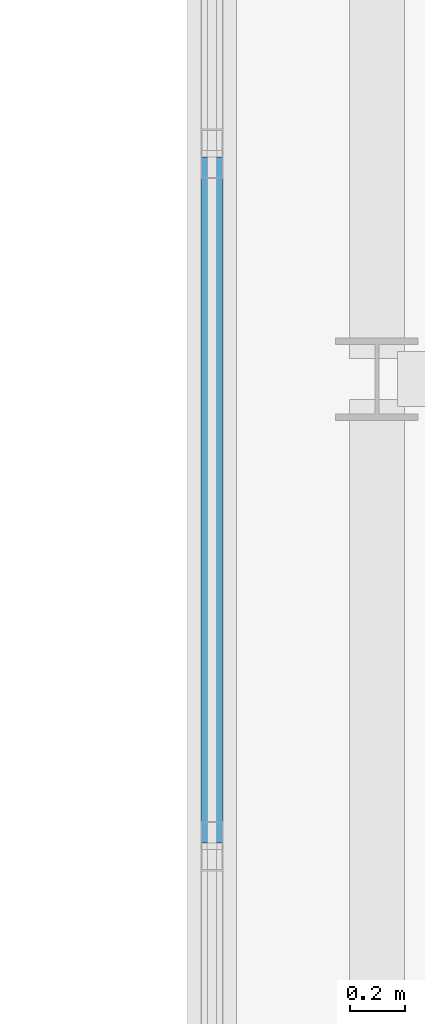
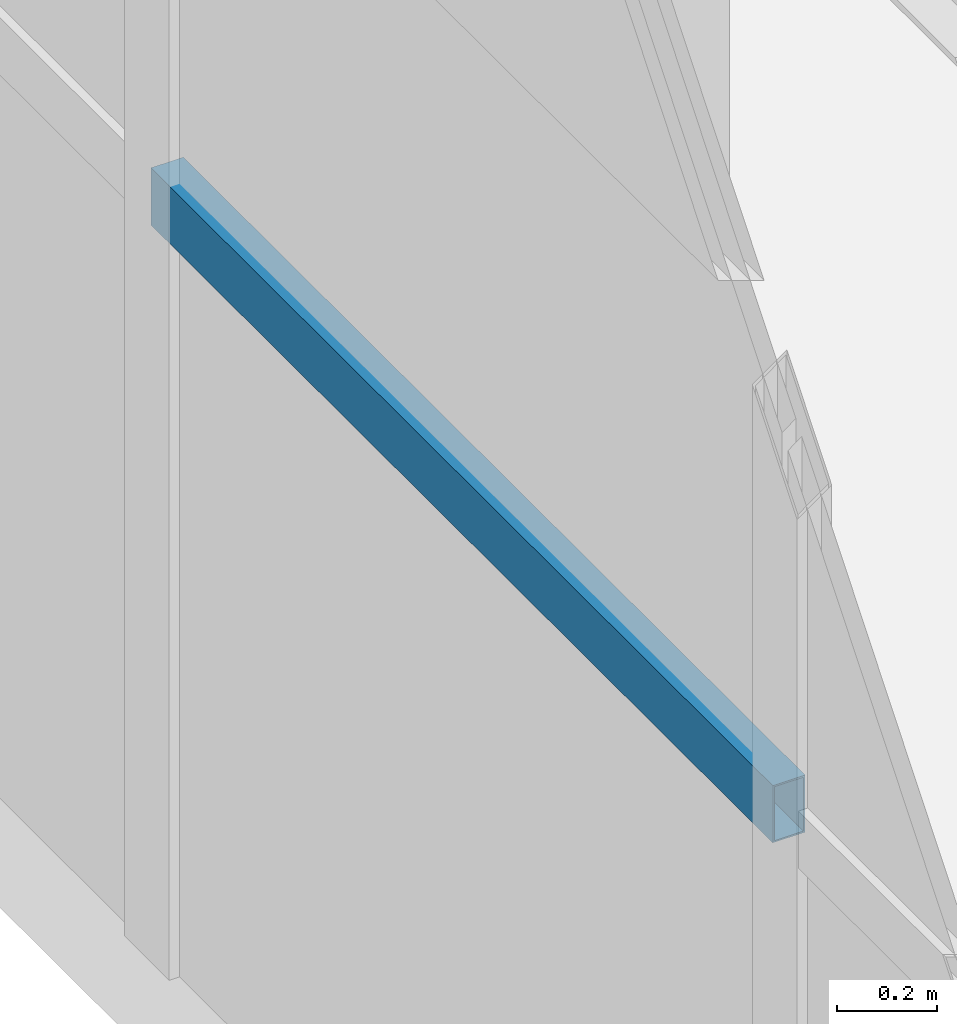
# One storey, part 13 of 25: 1 member, 1 element without a shape of its own.
"""IFC4 building model written with IfcOpenShell, lengths in metres."""

from ifc_helpers import new_model, si_unit, direction, frame, origin, origin_2d, place, context, subcontext, project, spatial, hollow_rectangle, extrude, source, transform, mapped, material, material_profile, profile_set, type_object, element, aggregate, save


model = new_model("IFC4")

# Units and contexts
model_context = context("Model", 3, precision=1e-05, world=origin(), true_north=direction((0.0, 1.0)))
body_context = subcontext(model_context, "Body", "Model", "MODEL_VIEW")
ifc_project = project(units=[si_unit("LENGTHUNIT", "METRE"), si_unit("AREAUNIT", "SQUARE_METRE"), si_unit("VOLUMEUNIT", "CUBIC_METRE"), si_unit("PLANEANGLEUNIT", "RADIAN"), si_unit("MASSUNIT", "GRAM", prefix="KILO")], contexts=[model_context])

# Site, building, storey
site_placement = place(None, origin())
site = spatial("IfcSite", under=ifc_project, at=site_placement, CompositionType="ELEMENT")
building_placement = place(site_placement, origin())
building = spatial("IfcBuilding", under=site, at=building_placement, Name="Trelvane Seafront Commons", CompositionType="ELEMENT")
storey_placement = place(building_placement, frame((0.0, 0.0, 320.89990234375)))
storey = spatial("IfcBuildingStorey", under=building, at=storey_placement, Name="L83", CompositionType="ELEMENT", Elevation=320.89990234375)

# Curtain wall, member
ifc_material = material(Name="Anodised pale-silver aluminium", Category="aluminium")
curtain_wall_type = type_object("IfcCurtainWallType", Name="ARCH-CW6-CROWN", PredefinedType="NOTDEFINED", material=ifc_material)
curtain_wall_placement = place(storey_placement, origin())
curtain_wall = element("IfcCurtainWall", 1, at=curtain_wall_placement, inside=storey, type_object=curtain_wall_type, Name="CW-L83-0164", PredefinedType="NOTDEFINED")
ifc_material_profile = material_profile(ifc_material, hollow_rectangle(XDim=0.074951171875, YDim=0.139892578125, WallThickness=0.00390625, at=origin_2d()), Name="TRAN-75x140x4")
ifc_profile_set = profile_set([ifc_material_profile], Name="Anodised pale-silver aluminium")
member_type = type_object("IfcMemberType", Name="ARCH-CW-TRAN-140", PredefinedType="USERDEFINED", material=ifc_profile_set)
shared_shape = source(origin(), body_context, "Body", "SweptSolid", [
    extrude(hollow_rectangle(XDim=0.074951171875, YDim=0.139892578125, WallThickness=0.00390625, at=origin_2d()), origin(), (0.0, 0.0, 1.0), 2.49609375),
])
member_placement = place(storey_placement, frame((50.39990234375, 31.7119140625, 1.8720703125), z_axis=(0.0, 1.0, 0.0), x_axis=(-1.0, 0.0, 0.0)))
member = element("IfcMember", 2, at=member_placement, type_object=member_type, Name="CW-L83-0164-T05", ObjectType="TRANSOM", PredefinedType="USERDEFINED", context=body_context, shape_type="MappedRepresentation", body=[
    mapped(shared_shape, transform((0.0, 0.0, 0.0), x_axis=(1.0, 0.0, 0.0), y_axis=(0.0, 1.0, 0.0), z_axis=(0.0, 0.0, 1.0), scale=1.0)),
])
aggregate(curtain_wall, [member])

save(model, "model.ifc")
